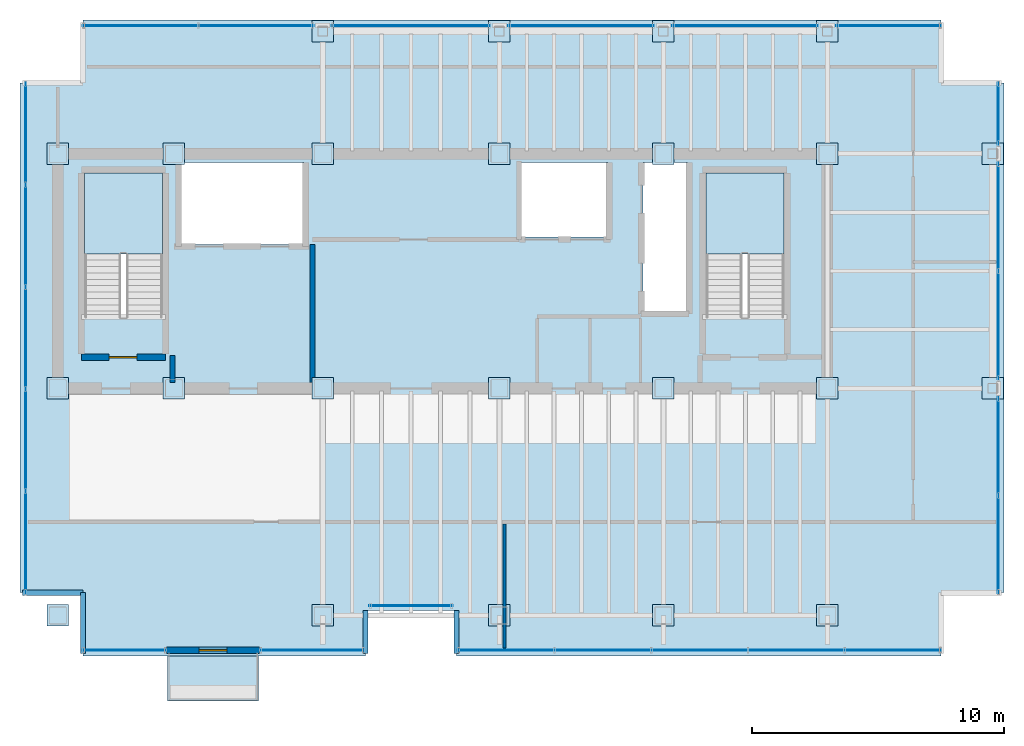
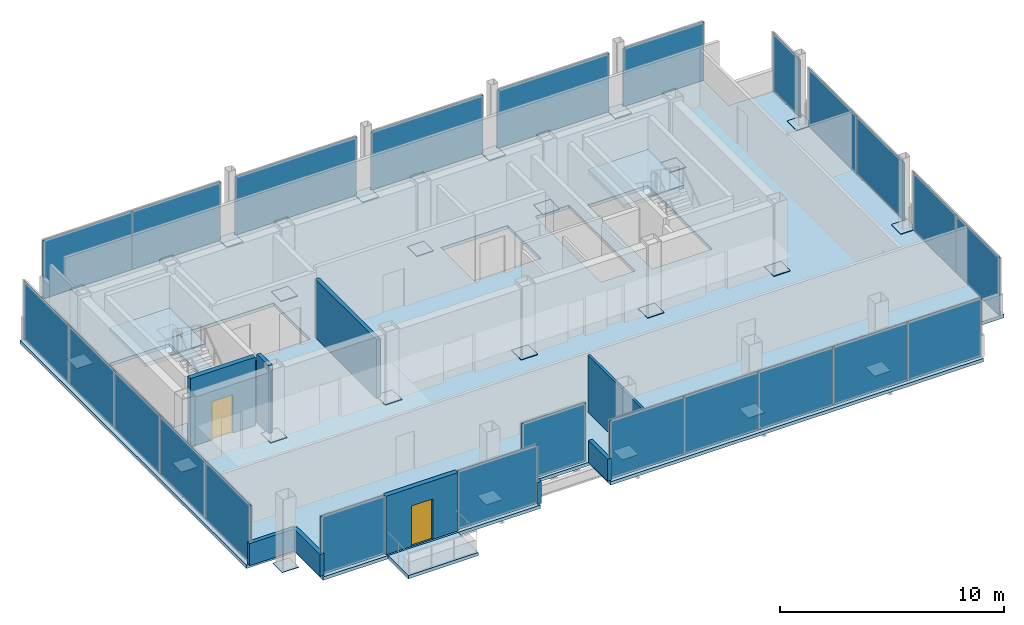
# One storey, part 14 of 17: 47 plates, 9 walls, 4 slabs, 2 doors, 7 openings, 15 elements without a shape of their own.
"""IFC4 building model written with IfcOpenShell, lengths in metres."""

import ifcopenshell
import ifcopenshell.guid

model = None  # the IFC model being written
_history = None  # IfcOwnerHistory: only IFC2X3 demands one
_inside = {}  # id of a spatial element -> (the spatial element, [elements in it])
_under = {}  # id of a project, library or spatial element -> (it, [spatial elements below it])
_declared = {}  # id of a project -> (the project, [libraries it declares])
_typed = {}  # id of a type object -> (the type object, [elements of that type])
_made_of = {}  # id of a material, layer set ... -> (it, [elements and type objects made of it])


def new_model(schema):
    """Start an empty IFC model of exactly this schema.

    Asked for "IFC4X3", IfcOpenShell would pick the latest addendum, in which some entities
    have other attributes; the version numbers below select the first issue.
    IFC2X3 requires an IfcOwnerHistory on every rooted entity: one is made here for all.
    """
    global model, _history
    if schema == "IFC4X3":
        model = ifcopenshell.file(schema_version=(4, 3, 0, 0))
    else:
        model = ifcopenshell.file(schema=schema)
    _inside.clear()
    _under.clear()
    _declared.clear()
    _typed.clear()
    _made_of.clear()
    _history = None
    if model.schema == "IFC2X3":
        org = make("IfcOrganization", Name="unknown")
        user = make(
            "IfcPersonAndOrganization",
            ThePerson=make("IfcPerson", FamilyName="unknown"),
            TheOrganization=org,
        )
        app = make(
            "IfcApplication",
            ApplicationDeveloper=org,
            Version="unknown",
            ApplicationFullName="unknown",
            ApplicationIdentifier="unknown",
        )
        _history = make(
            "IfcOwnerHistory",
            OwningUser=user,
            OwningApplication=app,
            ChangeAction="ADDED",
            CreationDate=0,
        )
    return model


def make(cls, **values):
    """One entity of the class cls with the attributes given. An attribute that is None is left unset."""
    return model.create_entity(
        cls, **{name: value for name, value in values.items() if value is not None}
    )


def rooted(cls, **values):
    """An entity with a GlobalId (a new one), such as an element, a storey or a relation."""
    return make(cls, GlobalId=ifcopenshell.guid.new(), OwnerHistory=_history, **values)


def si_unit(unit_type, name, prefix=None):
    """IfcSIUnit, for example si_unit("LENGTHUNIT", "METRE", prefix="MILLI")."""
    return make("IfcSIUnit", UnitType=unit_type, Prefix=prefix, Name=name)


def assignment(units):
    """IfcUnitAssignment: the units of a project."""
    return None if units is None else make("IfcUnitAssignment", Units=units)


def point(xyz):
    """IfcCartesianPoint."""
    return None if xyz is None else make("IfcCartesianPoint", Coordinates=xyz)


def direction(xyz):
    """IfcDirection."""
    return None if xyz is None else make("IfcDirection", DirectionRatios=xyz)


def frame(location, z_axis=None, x_axis=None):
    """IfcAxis2Placement3D, a coordinate frame: its origin and axes. An axis left out is left unset."""
    return make(
        "IfcAxis2Placement3D",
        Location=point(location),
        Axis=direction(z_axis),
        RefDirection=direction(x_axis),
    )


def frame_2d(location, x_axis=None):
    """IfcAxis2Placement2D, a coordinate frame in the plane: its origin and x axis."""
    return make(
        "IfcAxis2Placement2D", Location=point(location), RefDirection=direction(x_axis)
    )


def origin():
    """The frame at (0, 0, 0) with its axes left unset."""
    return frame((0.0, 0.0, 0.0))


def origin_2d():
    """The frame at (0, 0) in the plane with its x axis left unset."""
    return frame_2d((0.0, 0.0))


def place(relative_to, where):
    """IfcLocalPlacement: puts the frame where relative to a parent placement (None: the world)."""
    return make(
        "IfcLocalPlacement", PlacementRelTo=relative_to, RelativePlacement=where
    )


def context(
    kind, dimensions, precision=None, world=None, true_north=None, identifier=None
):
    """IfcGeometricRepresentationContext, for example the 3D "Model" context."""
    return make(
        "IfcGeometricRepresentationContext",
        ContextIdentifier=identifier,
        ContextType=kind,
        CoordinateSpaceDimension=dimensions,
        Precision=precision,
        WorldCoordinateSystem=world,
        TrueNorth=true_north,
    )


def subcontext(parent, identifier, kind, view, scale=None):
    """IfcGeometricRepresentationSubContext, for example "Body" below "Model"."""
    return make(
        "IfcGeometricRepresentationSubContext",
        ContextIdentifier=identifier,
        ContextType=kind,
        ParentContext=parent,
        TargetScale=scale,
        TargetView=view,
    )


def project(units=None, contexts=None):
    """IfcProject with its units and contexts."""
    return rooted(
        "IfcProject",
        Name="project",
        RepresentationContexts=contexts,
        UnitsInContext=assignment(units),
    )


def spatial(cls, under=None, at=None, **own):
    """A site, building, storey or space (cls), placed at a placement, below another one or the project."""
    s = rooted(cls, ObjectPlacement=at, **own)
    if under is not None:
        _under.setdefault(under.id(), (under, []))[1].append(s)
    return s


def polyline(points):
    """IfcPolyline through the points."""
    return make("IfcPolyline", Points=[point(p) for p in points])


def profile(cls, at=None, kind="AREA", **sizes):
    """A parametric profile (cls). Its sizes go by their IFC names, for example OverallWidth=200.0."""
    return make(cls, ProfileType=kind, Position=at, **sizes)


def rectangle(**sizes):
    """IfcRectangleProfileDef."""
    return profile("IfcRectangleProfileDef", **sizes)


def outline(outer, holes=None, kind="AREA"):
    """IfcArbitraryClosedProfileDef: a profile drawn as a closed curve; with holes, ...WithVoids."""
    if holes is None:
        return make("IfcArbitraryClosedProfileDef", ProfileType=kind, OuterCurve=outer)
    return make(
        "IfcArbitraryProfileDefWithVoids",
        ProfileType=kind,
        OuterCurve=outer,
        InnerCurves=holes,
    )


def extrude(swept, where, along, depth):
    """IfcExtrudedAreaSolid: the profile swept, set in the frame where, extruded along a direction by depth."""
    return make(
        "IfcExtrudedAreaSolid",
        SweptArea=swept,
        Position=where,
        ExtrudedDirection=direction(along),
        Depth=depth,
    )


def shape(context_of_items, identifier, shape_type, items):
    """IfcShapeRepresentation: the items that make up one representation, for example the "Body"."""
    return make(
        "IfcShapeRepresentation",
        ContextOfItems=context_of_items,
        RepresentationIdentifier=identifier,
        RepresentationType=shape_type,
        Items=items,
    )


def material(Name=None, Category=None):
    """IfcMaterial."""
    return make("IfcMaterial", Name=Name, Category=Category)


def layer(
    of_material, thickness, ventilated=None, Name=None, Category=None, Priority=None
):
    """IfcMaterialLayer: one layer of a wall or slab, of a material (None: an air gap)."""
    return make(
        "IfcMaterialLayer",
        Material=of_material,
        LayerThickness=thickness,
        IsVentilated=ventilated,
        Name=Name,
        Category=Category,
        Priority=Priority,
    )


def layer_set(layers, Name=None):
    """IfcMaterialLayerSet."""
    return make("IfcMaterialLayerSet", MaterialLayers=layers, LayerSetName=Name)


def made_of(thing, what):
    """Note that an element or type object is made of a material, layer set ...; save() writes the relation."""
    if what is not None:
        _made_of.setdefault(what.id(), (what, []))[1].append(thing)
    return thing


def type_object(cls, material=None, **own):
    """A type object (cls), such as IfcWallType, which elements share."""
    return made_of(rooted(cls, **own), material)


def element(
    cls,
    number,
    at=None,
    inside=None,
    cuts=None,
    type_object=None,
    material=None,
    context=None,
    identifier="Body",
    shape_type=None,
    held_by="IfcProductDefinitionShape",
    body=None,
    shapes=None,
    **own,
):
    """One element of the class cls, such as IfcWall. Its Tag is "e" and its number.

    at: its placement. inside: the storey or other place that contains it. cuts: it is an
    opening in that element (IfcRelVoidsElement). A single representation is given by context,
    identifier, shape_type and body (its items); several are given by shapes. held_by: the class
    of the entity that holds the representations. save() writes the other relations.
    """
    e = rooted(cls, Tag="e%d" % number, ObjectPlacement=at, **own)
    if body is not None:
        shapes = [shape(context, identifier, shape_type, body)]
    if shapes is not None:
        e.Representation = make(held_by, Representations=shapes)
    if inside is not None:
        _inside.setdefault(inside.id(), (inside, []))[1].append(e)
    if cuts is not None:
        rooted(
            "IfcRelVoidsElement", RelatingBuildingElement=cuts, RelatedOpeningElement=e
        )
    if type_object is not None:
        _typed.setdefault(type_object.id(), (type_object, []))[1].append(e)
    return made_of(e, material)


def fill(opening, filler):
    """IfcRelFillsElement: the door or window that sits in an opening."""
    return rooted(
        "IfcRelFillsElement",
        RelatingOpeningElement=opening,
        RelatedBuildingElement=filler,
    )


def aggregate(whole, parts):
    """IfcRelAggregates: a whole, such as a stair, and the parts it consists of."""
    return rooted("IfcRelAggregates", RelatingObject=whole, RelatedObjects=parts)


def save(model, path):
    """Write the relations noted so far, then the file.

    IfcRelAggregates (storeys below a building ...), IfcRelContainedInSpatialStructure (elements
    in a storey), IfcRelDefinesByType, IfcRelAssociatesMaterial and IfcRelDeclares: one each for
    every whole, place, type object, material and project.
    """
    for whole, parts in _under.values():
        aggregate(whole, parts)
    for where, things in _inside.values():
        rooted(
            "IfcRelContainedInSpatialStructure",
            RelatedElements=things,
            RelatingStructure=where,
        )
    for kind, things in _typed.values():
        rooted("IfcRelDefinesByType", RelatedObjects=things, RelatingType=kind)
    for what, things in _made_of.values():
        rooted("IfcRelAssociatesMaterial", RelatedObjects=things, RelatingMaterial=what)
    for by, libraries in _declared.values():
        rooted("IfcRelDeclares", RelatingContext=by, RelatedDefinitions=libraries)
    model.write(path)


model = new_model("IFC4")

# Units and contexts
model_context = context("Model", 3, precision=1e-05, world=origin(), true_north=direction((0.0, 1.0)))
body_context = subcontext(model_context, "Body", "Model", "MODEL_VIEW")
ifc_project = project(units=[si_unit("LENGTHUNIT", "METRE"), si_unit("AREAUNIT", "SQUARE_METRE"), si_unit("VOLUMEUNIT", "CUBIC_METRE"), si_unit("PLANEANGLEUNIT", "RADIAN"), si_unit("MASSUNIT", "GRAM", prefix="KILO")], contexts=[model_context])

# Site, building, storey
site_placement = place(None, origin())
site = spatial("IfcSite", under=ifc_project, at=site_placement, CompositionType="ELEMENT")
building_placement = place(site_placement, origin())
building = spatial("IfcBuilding", under=site, at=building_placement, Name="Noeulbin Bourse Tower", CompositionType="ELEMENT")
storey_placement = place(building_placement, frame((0.0, 0.0, 285.199951171875)))
storey = spatial("IfcBuildingStorey", under=building, at=storey_placement, Name="L71", CompositionType="ELEMENT", Elevation=285.199951171875)

# Curtain wall, plate
ifc_material_1 = material(Name="High-Selectivity Low-Iron Glazing", Category="glass")
curtain_wall_type = type_object("IfcCurtainWallType", Name="CW-SYS-4", PredefinedType="NOTDEFINED", material=ifc_material_1)
curtain_wall_1_placement = place(storey_placement, origin())
curtain_wall_1 = element("IfcCurtainWall", 1, at=curtain_wall_1_placement, inside=storey, type_object=curtain_wall_type, Name="Unitised Curtain Wall CW-L71-SREC", PredefinedType="NOTDEFINED")
ifc_layer_1 = layer(ifc_material_1, 0.035888671875)
ifc_layer_set_1 = layer_set([ifc_layer_1], Name="High-Selectivity Low-Iron Glazing")
plate_type_1 = type_object("IfcPlateType", Name="CW-SYS-4-PNL", PredefinedType="CURTAIN_PANEL", material=ifc_layer_set_1)
plate_1_placement = place(storey_placement, frame((27.5, 20.3798828125, 0.0), z_axis=(0.0, 0.0, 1.0), x_axis=(1.0, 0.0, 0.0)))
plate_1 = element("IfcPlate", 2, at=plate_1_placement, type_object=plate_type_1, Name="Glazed Curtain Panel CW-L71-SREC-P00", PredefinedType="CURTAIN_PANEL", context=body_context, shape_type="SweptSolid", body=[
    extrude(rectangle(XDim=3.300048828125, YDim=0.035888671875, at=origin_2d()), origin(), (0.0, 0.0, 1.0), 3.179931640625),
])
aggregate(curtain_wall_1, [plate_1])

curtain_wall_2_placement = place(storey_placement, origin())
curtain_wall_2 = element("IfcCurtainWall", 3, at=curtain_wall_2_placement, inside=storey, type_object=curtain_wall_type, Name="Unitised Curtain Wall CW-L71-S1", PredefinedType="NOTDEFINED")
plate_2_placement = place(storey_placement, frame((16.139892578125, 18.6201171875, 0.0), z_axis=(0.0, 0.0, 1.0), x_axis=(1.0, 0.0, 0.0)))
plate_2 = element("IfcPlate", 4, at=plate_2_placement, type_object=plate_type_1, Name="Glazed Curtain Panel CW-L71-S1-P00", PredefinedType="CURTAIN_PANEL", context=body_context, shape_type="SweptSolid", body=[
    extrude(rectangle(XDim=3.320068359375, YDim=0.035888671875, at=origin_2d()), origin(), (0.0, 0.0, 1.0), 3.179931640625),
])
aggregate(curtain_wall_2, [plate_2])

curtain_wall_3_placement = place(storey_placement, origin())
curtain_wall_3 = element("IfcCurtainWall", 5, at=curtain_wall_3_placement, inside=storey, type_object=curtain_wall_type, Name="Unitised Curtain Wall CW-L71-S2", PredefinedType="NOTDEFINED")
plate_3_placement = place(storey_placement, frame((23.574951171875, 18.6201171875, 0.0), z_axis=(0.0, 0.0, 1.0), x_axis=(1.0, 0.0, 0.0)))
plate_3 = element("IfcPlate", 6, at=plate_3_placement, type_object=plate_type_1, Name="Glazed Curtain Panel CW-L71-S2-P00", PredefinedType="CURTAIN_PANEL", context=body_context, shape_type="SweptSolid", body=[
    extrude(rectangle(XDim=4.14990234375, YDim=0.035888671875, at=origin_2d()), origin(), (0.0, 0.0, 1.0), 3.179931640625),
])
aggregate(curtain_wall_3, [plate_3])

# Curtain wall, plates
curtain_wall_4_placement = place(storey_placement, origin())
curtain_wall_4 = element("IfcCurtainWall", 7, at=curtain_wall_4_placement, inside=storey, type_object=curtain_wall_type, Name="Unitised Curtain Wall CW-L71-S3", PredefinedType="NOTDEFINED")
plate_4_placement = place(storey_placement, frame((31.26708984375, 18.6201171875, 0.0), z_axis=(0.0, 0.0, 1.0), x_axis=(1.0, 0.0, 0.0)))
plate_4 = element("IfcPlate", 8, at=plate_4_placement, type_object=plate_type_1, Name="Glazed Curtain Panel CW-L71-S3-P00", PredefinedType="CURTAIN_PANEL", context=body_context, shape_type="SweptSolid", body=[
    extrude(rectangle(XDim=3.833984375, YDim=0.035888671875, at=origin_2d()), origin(), (0.0, 0.0, 1.0), 3.179931640625),
])
plate_5_placement = place(storey_placement, frame((35.10107421875, 18.6201171875, 0.0), z_axis=(0.0, 0.0, 1.0), x_axis=(1.0, 0.0, 0.0)))
plate_5 = element("IfcPlate", 9, at=plate_5_placement, type_object=plate_type_1, Name="Glazed Curtain Panel CW-L71-S3-P01", PredefinedType="CURTAIN_PANEL", context=body_context, shape_type="SweptSolid", body=[
    extrude(rectangle(XDim=3.833984375, YDim=0.035888671875, at=origin_2d()), origin(), (0.0, 0.0, 1.0), 3.179931640625),
])
plate_6_placement = place(storey_placement, frame((38.93505859375, 18.6201171875, 0.0), z_axis=(0.0, 0.0, 1.0), x_axis=(1.0, 0.0, 0.0)))
plate_6 = element("IfcPlate", 10, at=plate_6_placement, type_object=plate_type_1, Name="Glazed Curtain Panel CW-L71-S3-P02", PredefinedType="CURTAIN_PANEL", context=body_context, shape_type="SweptSolid", body=[
    extrude(rectangle(XDim=3.833984375, YDim=0.035888671875, at=origin_2d()), origin(), (0.0, 0.0, 1.0), 3.179931640625),
])
plate_7_placement = place(storey_placement, frame((42.76904296875, 18.6201171875, 0.0), z_axis=(0.0, 0.0, 1.0), x_axis=(1.0, 0.0, 0.0)))
plate_7 = element("IfcPlate", 11, at=plate_7_placement, type_object=plate_type_1, Name="Glazed Curtain Panel CW-L71-S3-P03", PredefinedType="CURTAIN_PANEL", context=body_context, shape_type="SweptSolid", body=[
    extrude(rectangle(XDim=3.833984375, YDim=0.035888671875, at=origin_2d()), origin(), (0.0, 0.0, 1.0), 3.179931640625),
])
plate_8_placement = place(storey_placement, frame((46.60302734375, 18.6201171875, 0.0), z_axis=(0.0, 0.0, 1.0), x_axis=(1.0, 0.0, 0.0)))
plate_8 = element("IfcPlate", 12, at=plate_8_placement, type_object=plate_type_1, Name="Glazed Curtain Panel CW-L71-S3-P04", PredefinedType="CURTAIN_PANEL", context=body_context, shape_type="SweptSolid", body=[
    extrude(rectangle(XDim=3.833984375, YDim=0.035888671875, at=origin_2d()), origin(), (0.0, 0.0, 1.0), 3.179931640625),
])
aggregate(curtain_wall_4, [plate_4, plate_5, plate_6, plate_7, plate_8])

curtain_wall_5_placement = place(storey_placement, origin())
curtain_wall_5 = element("IfcCurtainWall", 13, at=curtain_wall_5_placement, inside=storey, type_object=curtain_wall_type, Name="Unitised Curtain Wall CW-L71-N-S1", PredefinedType="NOTDEFINED")
plate_9_placement = place(storey_placement, frame((16.77001953125, 43.3798828125, 0.0), z_axis=(0.0, 0.0, 1.0), x_axis=(1.0, 0.0, 0.0)))
plate_9 = element("IfcPlate", 14, at=plate_9_placement, type_object=plate_type_1, Name="Glazed Curtain Panel CW-L71-N-S1-P00", PredefinedType="CURTAIN_PANEL", context=body_context, shape_type="SweptSolid", body=[
    extrude(rectangle(XDim=4.580078125, YDim=0.035888671875, at=origin_2d()), origin(), (0.0, 0.0, 1.0), 3.179931640625),
])
plate_10_placement = place(storey_placement, frame((21.35009765625, 43.3798828125, 0.0), z_axis=(0.0, 0.0, 1.0), x_axis=(1.0, 0.0, 0.0)))
plate_10 = element("IfcPlate", 15, at=plate_10_placement, type_object=plate_type_1, Name="Glazed Curtain Panel CW-L71-N-S1-P01", PredefinedType="CURTAIN_PANEL", context=body_context, shape_type="SweptSolid", body=[
    extrude(rectangle(XDim=4.580078125, YDim=0.035888671875, at=origin_2d()), origin(), (0.0, 0.0, 1.0), 3.179931640625),
])
aggregate(curtain_wall_5, [plate_9, plate_10])

# Curtain wall, plate
curtain_wall_6_placement = place(storey_placement, origin())
curtain_wall_6 = element("IfcCurtainWall", 16, at=curtain_wall_6_placement, inside=storey, type_object=curtain_wall_type, Name="Unitised Curtain Wall CW-L71-N-S2", PredefinedType="NOTDEFINED")
plate_11_placement = place(storey_placement, frame((27.5, 43.3798828125, 0.0), z_axis=(0.0, 0.0, 1.0), x_axis=(1.0, 0.0, 0.0)))
plate_11 = element("IfcPlate", 17, at=plate_11_placement, type_object=plate_type_1, Name="Glazed Curtain Panel CW-L71-N-S2-P00", PredefinedType="CURTAIN_PANEL", context=body_context, shape_type="SweptSolid", body=[
    extrude(rectangle(XDim=6.280029296875, YDim=0.035888671875, at=origin_2d()), origin(), (0.0, 0.0, 1.0), 3.179931640625),
])
aggregate(curtain_wall_6, [plate_11])

curtain_wall_7_placement = place(storey_placement, origin())
curtain_wall_7 = element("IfcCurtainWall", 18, at=curtain_wall_7_placement, inside=storey, type_object=curtain_wall_type, Name="Unitised Curtain Wall CW-L71-N-S3", PredefinedType="NOTDEFINED")
plate_12_placement = place(storey_placement, frame((34.25, 43.3798828125, 0.0), z_axis=(0.0, 0.0, 1.0), x_axis=(1.0, 0.0, 0.0)))
plate_12 = element("IfcPlate", 19, at=plate_12_placement, type_object=plate_type_1, Name="Glazed Curtain Panel CW-L71-N-S3-P00", PredefinedType="CURTAIN_PANEL", context=body_context, shape_type="SweptSolid", body=[
    extrude(rectangle(XDim=5.780029296875, YDim=0.035888671875, at=origin_2d()), origin(), (0.0, 0.0, 1.0), 3.179931640625),
])
aggregate(curtain_wall_7, [plate_12])

curtain_wall_8_placement = place(storey_placement, origin())
curtain_wall_8 = element("IfcCurtainWall", 20, at=curtain_wall_8_placement, inside=storey, type_object=curtain_wall_type, Name="Unitised Curtain Wall CW-L71-N-S4", PredefinedType="NOTDEFINED")
plate_13_placement = place(storey_placement, frame((40.75, 43.3798828125, 0.0), z_axis=(0.0, 0.0, 1.0), x_axis=(1.0, 0.0, 0.0)))
plate_13 = element("IfcPlate", 21, at=plate_13_placement, type_object=plate_type_1, Name="Glazed Curtain Panel CW-L71-N-S4-P00", PredefinedType="CURTAIN_PANEL", context=body_context, shape_type="SweptSolid", body=[
    extrude(rectangle(XDim=5.780029296875, YDim=0.035888671875, at=origin_2d()), origin(), (0.0, 0.0, 1.0), 3.179931640625),
])
aggregate(curtain_wall_8, [plate_13])

curtain_wall_9_placement = place(storey_placement, origin())
curtain_wall_9 = element("IfcCurtainWall", 22, at=curtain_wall_9_placement, inside=storey, type_object=curtain_wall_type, Name="Unitised Curtain Wall CW-L71-N-S5", PredefinedType="NOTDEFINED")
plate_14_placement = place(storey_placement, frame((46.43994140625, 43.3798828125, 0.0), z_axis=(0.0, 0.0, 1.0), x_axis=(1.0, 0.0, 0.0)))
plate_14 = element("IfcPlate", 23, at=plate_14_placement, type_object=plate_type_1, Name="Glazed Curtain Panel CW-L71-N-S5-P00", PredefinedType="CURTAIN_PANEL", context=body_context, shape_type="SweptSolid", body=[
    extrude(rectangle(XDim=4.159912109375, YDim=0.035888671875, at=origin_2d()), origin(), (0.0, 0.0, 1.0), 3.179931640625),
])
aggregate(curtain_wall_9, [plate_14])

# Curtain wall, plates
curtain_wall_10_placement = place(storey_placement, origin())
curtain_wall_10 = element("IfcCurtainWall", 24, at=curtain_wall_10_placement, inside=storey, type_object=curtain_wall_type, Name="Unitised Curtain Wall CW-L71-W", PredefinedType="NOTDEFINED")
plate_15_placement = place(storey_placement, frame((12.219970703125, 22.904052734375, 0.0), z_axis=(0.0, 0.0, 1.0), x_axis=(0.0, 1.0, 0.0)))
plate_15 = element("IfcPlate", 25, at=plate_15_placement, type_object=plate_type_1, Name="Glazed Curtain Panel CW-L71-W-P00", PredefinedType="CURTAIN_PANEL", context=body_context, shape_type="SweptSolid", body=[
    extrude(rectangle(XDim=4.048095703125, YDim=0.035888671875, at=origin_2d()), origin(), (0.0, 0.0, 1.0), 3.179931640625),
])
plate_16_placement = place(storey_placement, frame((12.219970703125, 26.951904296875, 0.0), z_axis=(0.0, 0.0, 1.0), x_axis=(0.0, 1.0, 0.0)))
plate_16 = element("IfcPlate", 26, at=plate_16_placement, type_object=plate_type_1, Name="Glazed Curtain Panel CW-L71-W-P01", PredefinedType="CURTAIN_PANEL", context=body_context, shape_type="SweptSolid", body=[
    extrude(rectangle(XDim=4.048095703125, YDim=0.035888671875, at=origin_2d()), origin(), (0.0, 0.0, 1.0), 3.179931640625),
])
plate_17_placement = place(storey_placement, frame((12.219970703125, 31.0, 0.0), z_axis=(0.0, 0.0, 1.0), x_axis=(0.0, 1.0, 0.0)))
plate_17 = element("IfcPlate", 27, at=plate_17_placement, type_object=plate_type_1, Name="Glazed Curtain Panel CW-L71-W-P02", PredefinedType="CURTAIN_PANEL", context=body_context, shape_type="SweptSolid", body=[
    extrude(rectangle(XDim=4.048095703125, YDim=0.035888671875, at=origin_2d()), origin(), (0.0, 0.0, 1.0), 3.179931640625),
])
plate_18_placement = place(storey_placement, frame((12.219970703125, 35.048095703125, 0.0), z_axis=(0.0, 0.0, 1.0), x_axis=(0.0, 1.0, 0.0)))
plate_18 = element("IfcPlate", 28, at=plate_18_placement, type_object=plate_type_1, Name="Glazed Curtain Panel CW-L71-W-P03", PredefinedType="CURTAIN_PANEL", context=body_context, shape_type="SweptSolid", body=[
    extrude(rectangle(XDim=4.048095703125, YDim=0.035888671875, at=origin_2d()), origin(), (0.0, 0.0, 1.0), 3.179931640625),
])
plate_19_placement = place(storey_placement, frame((12.219970703125, 39.095947265625, 0.0), z_axis=(0.0, 0.0, 1.0), x_axis=(0.0, 1.0, 0.0)))
plate_19 = element("IfcPlate", 29, at=plate_19_placement, type_object=plate_type_1, Name="Glazed Curtain Panel CW-L71-W-P04", PredefinedType="CURTAIN_PANEL", context=body_context, shape_type="SweptSolid", body=[
    extrude(rectangle(XDim=4.048095703125, YDim=0.035888671875, at=origin_2d()), origin(), (0.0, 0.0, 1.0), 3.179931640625),
])
aggregate(curtain_wall_10, [plate_15, plate_16, plate_17, plate_18, plate_19])

curtain_wall_11_placement = place(storey_placement, origin())
curtain_wall_11 = element("IfcCurtainWall", 30, at=curtain_wall_11_placement, inside=storey, type_object=curtain_wall_type, Name="Unitised Curtain Wall CW-L71-E-S1", PredefinedType="NOTDEFINED")
plate_20_placement = place(storey_placement, frame((50.780029296875, 22.820068359375, 0.0), z_axis=(0.0, 0.0, 1.0), x_axis=(0.0, 1.0, 0.0)))
plate_20 = element("IfcPlate", 31, at=plate_20_placement, type_object=plate_type_1, Name="Glazed Curtain Panel CW-L71-E-S1-P00", PredefinedType="CURTAIN_PANEL", context=body_context, shape_type="SweptSolid", body=[
    extrude(rectangle(XDim=3.8798828125, YDim=0.035888671875, at=origin_2d()), origin(), (0.0, 0.0, 1.0), 3.179931640625),
])
plate_21_placement = place(storey_placement, frame((50.780029296875, 26.699951171875, 0.0), z_axis=(0.0, 0.0, 1.0), x_axis=(0.0, 1.0, 0.0)))
plate_21 = element("IfcPlate", 32, at=plate_21_placement, type_object=plate_type_1, Name="Glazed Curtain Panel CW-L71-E-S1-P01", PredefinedType="CURTAIN_PANEL", context=body_context, shape_type="SweptSolid", body=[
    extrude(rectangle(XDim=3.8798828125, YDim=0.035888671875, at=origin_2d()), origin(), (0.0, 0.0, 1.0), 3.179931640625),
])
aggregate(curtain_wall_11, [plate_20, plate_21])

curtain_wall_12_placement = place(storey_placement, origin())
curtain_wall_12 = element("IfcCurtainWall", 33, at=curtain_wall_12_placement, inside=storey, type_object=curtain_wall_type, Name="Unitised Curtain Wall CW-L71-E-S2", PredefinedType="NOTDEFINED")
plate_22_placement = place(storey_placement, frame((50.780029296875, 31.5048828125, 0.0), z_axis=(0.0, 0.0, 1.0), x_axis=(0.0, 1.0, 0.0)))
plate_22 = element("IfcPlate", 34, at=plate_22_placement, type_object=plate_type_1, Name="Glazed Curtain Panel CW-L71-E-S2-P00", PredefinedType="CURTAIN_PANEL", context=body_context, shape_type="SweptSolid", body=[
    extrude(rectangle(XDim=4.2900390625, YDim=0.035888671875, at=origin_2d()), origin(), (0.0, 0.0, 1.0), 3.179931640625),
])
plate_23_placement = place(storey_placement, frame((50.780029296875, 35.794921875, 0.0), z_axis=(0.0, 0.0, 1.0), x_axis=(0.0, 1.0, 0.0)))
plate_23 = element("IfcPlate", 35, at=plate_23_placement, type_object=plate_type_1, Name="Glazed Curtain Panel CW-L71-E-S2-P01", PredefinedType="CURTAIN_PANEL", context=body_context, shape_type="SweptSolid", body=[
    extrude(rectangle(XDim=4.2900390625, YDim=0.035888671875, at=origin_2d()), origin(), (0.0, 0.0, 1.0), 3.179931640625),
])
aggregate(curtain_wall_12, [plate_22, plate_23])

# Curtain wall, plate
curtain_wall_13_placement = place(storey_placement, origin())
curtain_wall_13 = element("IfcCurtainWall", 36, at=curtain_wall_13_placement, inside=storey, type_object=curtain_wall_type, Name="Unitised Curtain Wall CW-L71-E-S3", PredefinedType="NOTDEFINED")
plate_24_placement = place(storey_placement, frame((50.780029296875, 39.889892578125, 0.0), z_axis=(0.0, 0.0, 1.0), x_axis=(0.0, 1.0, 0.0)))
plate_24 = element("IfcPlate", 37, at=plate_24_placement, type_object=plate_type_1, Name="Glazed Curtain Panel CW-L71-E-S3-P00", PredefinedType="CURTAIN_PANEL", context=body_context, shape_type="SweptSolid", body=[
    extrude(rectangle(XDim=2.4599609375, YDim=0.035888671875, at=origin_2d()), origin(), (0.0, 0.0, 1.0), 3.179931640625),
])
aggregate(curtain_wall_13, [plate_24])

# Plates
ifc_material_2 = material(Name="Steel S355", Category="steel")
ifc_layer_2 = layer(ifc_material_2, 0.030029296875)
ifc_layer_set_2 = layer_set([ifc_layer_2], Name="Steel S355")
plate_type_2 = type_object("IfcPlateType", Name="PLT-BN1", PredefinedType="USERDEFINED", material=ifc_layer_set_2)
for number, where, z_axis, x_axis, name in (
    (38, (13.5, 29.0, 0.0048828125), (0.0, 0.0, 1.0), (1.0, 0.0, 0.0), "Mega-Column Splice Plate BN1-L71-01"),
    (39, (13.5, 38.300048828125, 0.0048828125), (0.0, 0.0, 1.0), (1.0, 0.0, 0.0), "Mega-Column Splice Plate BN1-L71-02"),
    (40, (18.10009765625, 29.0, 0.0048828125), (0.0, 0.0, 1.0), (1.0, 0.0, 0.0), "Mega-Column Splice Plate BN1-L71-03"),
    (41, (18.10009765625, 38.300048828125, 0.0048828125), (0.0, 0.0, 1.0), (1.0, 0.0, 0.0), "Mega-Column Splice Plate BN1-L71-04"),
    (42, (24.0, 29.0, 0.0048828125), (0.0, 0.0, 1.0), (1.0, 0.0, 0.0), "Mega-Column Splice Plate BN1-L71-05"),
    (43, (24.0, 38.300048828125, 0.0048828125), (0.0, 0.0, 1.0), (1.0, 0.0, 0.0), "Mega-Column Splice Plate BN1-L71-06"),
    (44, (31.0, 29.0, 0.0048828125), (0.0, 0.0, 1.0), (1.0, 0.0, 0.0), "Mega-Column Splice Plate BN1-L71-07"),
    (45, (31.0, 38.300048828125, 0.0048828125), (0.0, 0.0, 1.0), (1.0, 0.0, 0.0), "Mega-Column Splice Plate BN1-L71-08"),
    (46, (37.5, 29.0, 0.0048828125), (0.0, 0.0, 1.0), (1.0, 0.0, 0.0), "Mega-Column Splice Plate BN1-L71-09"),
    (47, (37.5, 38.300048828125, 0.0048828125), (0.0, 0.0, 1.0), (1.0, 0.0, 0.0), "Mega-Column Splice Plate BN1-L71-10"),
    (48, (44.0, 29.0, 0.0048828125), (0.0, 0.0, 1.0), (1.0, 0.0, 0.0), "Mega-Column Splice Plate BN1-L71-11"),
    (49, (44.0, 38.300048828125, 0.0048828125), (0.0, 0.0, 1.0), (1.0, 0.0, 0.0), "Mega-Column Splice Plate BN1-L71-12"),
    (50, (13.5, 20.0, 0.0048828125), (0.0, 0.0, 1.0), (1.0, 0.0, 0.0), "Mega-Column Splice Plate BN1-L71-13"),
    (51, (24.0, 20.0, 0.0048828125), (0.0, 0.0, 1.0), (1.0, 0.0, 0.0), "Mega-Column Splice Plate BN1-L71-14"),
    (52, (31.0, 20.0, 0.0048828125), (0.0, 0.0, 1.0), (1.0, 0.0, 0.0), "Mega-Column Splice Plate BN1-L71-15"),
    (53, (37.5, 20.0, 0.0048828125), (0.0, 0.0, 1.0), (1.0, 0.0, 0.0), "Mega-Column Splice Plate BN1-L71-16"),
    (54, (44.0, 20.0, 0.0048828125), (0.0, 0.0, 1.0), (1.0, 0.0, 0.0), "Mega-Column Splice Plate BN1-L71-17"),
    (55, (24.0, 43.14990234375, 0.0048828125), (0.0, 0.0, 1.0), (1.0, 0.0, 0.0), "Perimeter Column Splice Plate BN1-L71-01"),
    (56, (31.0, 43.14990234375, 0.0048828125), (0.0, 0.0, 1.0), (1.0, 0.0, 0.0), "Perimeter Column Splice Plate BN1-L71-02"),
    (57, (37.5, 43.14990234375, 0.0048828125), (0.0, 0.0, 1.0), (1.0, 0.0, 0.0), "Perimeter Column Splice Plate BN1-L71-03"),
    (58, (44.0, 43.14990234375, 0.0048828125), (0.0, 0.0, 1.0), (1.0, 0.0, 0.0), "Perimeter Column Splice Plate BN1-L71-04"),
    (59, (50.550048828125, 29.0, 0.0048828125), (0.0, 0.0, 1.0), (1.0, 0.0, 0.0), "Perimeter Column Splice Plate BN1-L71-05"),
    (60, (50.550048828125, 38.300048828125, 0.0048828125), (0.0, 0.0, 1.0), (1.0, 0.0, 0.0), "Perimeter Column Splice Plate BN1-L71-06"),
):
    element("IfcPlate", number, at=place(storey_placement, frame(where, z_axis=z_axis, x_axis=x_axis)), inside=storey, type_object=plate_type_2, Name=name, ObjectType="SPLICE PLATE", PredefinedType="USERDEFINED", context=body_context, shape_type="SweptSolid", body=[
        extrude(rectangle(XDim=0.85009765625, YDim=0.85009765625, at=origin_2d()), origin(), (0.0, 0.0, 1.0), 0.030029296875),
    ])

# Stair, slab
ifc_material_3 = material(Name="Concrete C40/50", Category="concrete")
stair_type = type_object("IfcStairType", Name="STR-CORE-1560", PredefinedType="HALF_TURN_STAIR", material=ifc_material_3)
stair_1_placement = place(storey_placement, origin())
stair_1 = element("IfcStair", 61, at=stair_1_placement, inside=storey, type_object=stair_type, Name="L71 ST-1", PredefinedType="HALF_TURN_STAIR")
ifc_layer_3 = layer(ifc_material_3, 0.199951171875)
ifc_layer_set_3 = layer_set([ifc_layer_3], Name="Concrete C40/50")
slab_type_1 = type_object("IfcSlabType", Name="SLB-LND-200", PredefinedType="LANDING", material=ifc_layer_set_3)
slab_1_placement = place(storey_placement, frame((0.0, 0.0, 1.75)))
slab_1 = element("IfcSlab", 62, at=slab_1_placement, type_object=slab_type_1, Name="ST-1 landing 1", PredefinedType="LANDING", context=body_context, shape_type="SweptSolid", body=[
    extrude(outline(polyline([(17.64990234375, 34.330078125), (17.64990234375, 37.5439453125), (14.550048828125, 37.5439453125), (14.550048828125, 34.330078125), (17.64990234375, 34.330078125)])), origin(), (0.0, 0.0, 1.0), 0.199951171875),
])
aggregate(stair_1, [slab_1])

stair_2_placement = place(storey_placement, origin())
stair_2 = element("IfcStair", 63, at=stair_2_placement, inside=storey, type_object=stair_type, Name="L71 ST-2", PredefinedType="HALF_TURN_STAIR")
slab_2_placement = place(storey_placement, frame((0.0, 0.0, 1.75)))
slab_2 = element("IfcSlab", 64, at=slab_2_placement, type_object=slab_type_1, Name="ST-2 landing 1", PredefinedType="LANDING", context=body_context, shape_type="SweptSolid", body=[
    extrude(outline(polyline([(42.280029296875, 34.330078125), (42.280029296875, 37.5439453125), (39.179931640625, 37.5439453125), (39.179931640625, 34.330078125), (42.280029296875, 34.330078125)])), origin(), (0.0, 0.0, 1.0), 0.199951171875),
])
aggregate(stair_2, [slab_2])

# Slab, openings
ifc_layer_4 = layer(ifc_material_3, 0.179931640625)
ifc_layer_set_4 = layer_set([ifc_layer_4], Name="Concrete C40/50")
slab_type_2 = type_object("IfcSlabType", Name="SLB-TYP-180", PredefinedType="FLOOR", material=ifc_layer_set_4)
slab_3_placement = place(storey_placement, frame((0.0, 0.0, -0.179931640625)))
slab_3 = element("IfcSlab", 65, at=slab_3_placement, inside=storey, type_object=slab_type_2, Name="Tower Structural Floor Slab L71", PredefinedType="FLOOR", context=body_context, shape_type="SweptSolid", body=[
    extrude(outline(polyline([(14.5, 18.39990234375), (25.699951171875, 18.39990234375), (25.699951171875, 20.199951171875), (29.300048828125, 20.199951171875), (29.300048828125, 18.39990234375), (48.5, 18.39990234375), (48.5, 20.89990234375), (51.0, 20.89990234375), (51.0, 41.10009765625), (48.5, 41.10009765625), (48.5, 43.60009765625), (14.5, 43.60009765625), (14.5, 41.10009765625), (12.0, 41.10009765625), (12.0, 20.89990234375), (14.5, 20.89990234375), (14.5, 18.39990234375)]), holes=[polyline([(17.64990234375, 31.81005859375), (17.64990234375, 37.5439453125), (14.550048828125, 37.5439453125), (14.550048828125, 31.81005859375), (17.64990234375, 31.81005859375)]), polyline([(42.280029296875, 31.81005859375), (42.280029296875, 37.5439453125), (39.179931640625, 37.5439453125), (39.179931640625, 31.81005859375), (42.280029296875, 31.81005859375)]), polyline([(18.35009765625, 34.699951171875), (23.25, 34.699951171875), (23.25, 37.949951171875), (18.35009765625, 37.949951171875), (18.35009765625, 34.699951171875)]), polyline([(36.699951171875, 32.050048828125), (38.449951171875, 32.050048828125), (38.449951171875, 37.949951171875), (36.699951171875, 37.949951171875), (36.699951171875, 32.050048828125)]), polyline([(31.85009765625, 35.0), (35.300048828125, 35.0), (35.300048828125, 37.949951171875), (31.85009765625, 37.949951171875), (31.85009765625, 35.0)])]), origin(), (0.0, 0.0, 1.0), 0.179931640625),
])
opening_1_placement = place(slab_3_placement, frame((0.0, 0.0, -0.010009765625)))
element("IfcOpeningElement", 66, at=opening_1_placement, cuts=slab_3, Name="Slab Shaft Opening SLB-L71-TWR-1", PredefinedType="OPENING", context=body_context, shape_type="SweptSolid", body=[
    extrude(outline(polyline([(17.64990234375, 31.81005859375), (17.64990234375, 37.5439453125), (14.550048828125, 37.5439453125), (14.550048828125, 31.81005859375), (17.64990234375, 31.81005859375)])), origin(), (0.0, 0.0, 1.0), 0.199951171875),
])
opening_2_placement = place(slab_3_placement, frame((0.0, 0.0, -0.010009765625)))
element("IfcOpeningElement", 67, at=opening_2_placement, cuts=slab_3, Name="Slab Shaft Opening SLB-L71-TWR-2", PredefinedType="OPENING", context=body_context, shape_type="SweptSolid", body=[
    extrude(outline(polyline([(42.280029296875, 31.81005859375), (42.280029296875, 37.5439453125), (39.179931640625, 37.5439453125), (39.179931640625, 31.81005859375), (42.280029296875, 31.81005859375)])), origin(), (0.0, 0.0, 1.0), 0.199951171875),
])
opening_3_placement = place(slab_3_placement, frame((0.0, 0.0, -0.010009765625)))
element("IfcOpeningElement", 68, at=opening_3_placement, cuts=slab_3, Name="Slab Shaft Opening SLB-L71-TWR-3", PredefinedType="OPENING", context=body_context, shape_type="SweptSolid", body=[
    extrude(outline(polyline([(18.35009765625, 34.699951171875), (23.25, 34.699951171875), (23.25, 37.949951171875), (18.35009765625, 37.949951171875), (18.35009765625, 34.699951171875)])), origin(), (0.0, 0.0, 1.0), 0.199951171875),
])
opening_4_placement = place(slab_3_placement, frame((0.0, 0.0, -0.010009765625)))
element("IfcOpeningElement", 69, at=opening_4_placement, cuts=slab_3, Name="Slab Shaft Opening SLB-L71-TWR-4", PredefinedType="OPENING", context=body_context, shape_type="SweptSolid", body=[
    extrude(outline(polyline([(36.699951171875, 32.050048828125), (38.449951171875, 32.050048828125), (38.449951171875, 37.949951171875), (36.699951171875, 37.949951171875), (36.699951171875, 32.050048828125)])), origin(), (0.0, 0.0, 1.0), 0.199951171875),
])
opening_5_placement = place(slab_3_placement, frame((0.0, 0.0, -0.010009765625)))
element("IfcOpeningElement", 70, at=opening_5_placement, cuts=slab_3, Name="Slab Shaft Opening SLB-L71-TWR-5", PredefinedType="OPENING", context=body_context, shape_type="SweptSolid", body=[
    extrude(outline(polyline([(31.85009765625, 35.0), (35.300048828125, 35.0), (35.300048828125, 37.949951171875), (31.85009765625, 37.949951171875), (31.85009765625, 35.0)])), origin(), (0.0, 0.0, 1.0), 0.199951171875),
])

# Slab
slab_4_placement = place(storey_placement, frame((0.0, 0.0, -0.179931640625)))
element("IfcSlab", 71, at=slab_4_placement, inside=storey, type_object=slab_type_2, Name="Cantilevered Tree-Balcony Slab L71", PredefinedType="FLOOR", context=body_context, shape_type="SweptSolid", body=[
    extrude(outline(polyline([(17.85009765625, 16.60009765625), (21.449951171875, 16.60009765625), (21.449951171875, 18.39990234375), (17.85009765625, 18.39990234375), (17.85009765625, 16.60009765625)])), origin(), (0.0, 0.0, 1.0), 0.179931640625),
])

# Wall, opening, door
ifc_material_4 = material(Name="Precast Concrete C40/50", Category="concrete")
ifc_layer_5 = layer(ifc_material_4, 0.25)
ifc_layer_set_5 = layer_set([ifc_layer_5], Name="Precast Concrete C40/50")
wall_type_1 = type_object("IfcWallType", Name="WAL-EXT-250", PredefinedType="STANDARD", material=ifc_layer_set_5)
wall_1_placement = place(storey_placement, frame((17.800048828125, 18.6201171875, 0.0), z_axis=(0.0, 0.0, 1.0), x_axis=(1.0, 0.0, 0.0)))
wall_1 = element("IfcWall", 72, at=wall_1_placement, inside=storey, type_object=wall_type_1, Name="Balcony Threshold Wall L71", PredefinedType="STANDARD", context=body_context, shape_type="SweptSolid", body=[
    extrude(rectangle(XDim=3.699951171875, YDim=0.25, at=frame_2d((1.85009765625, 0.0))), origin(), (0.0, 0.0, 1.0), 3.179931640625),
])
opening_6_placement = place(wall_1_placement, frame((1.300048828125, 0.0, 0.0)))
opening_6 = element("IfcOpeningElement", 73, at=opening_6_placement, cuts=wall_1, Name="Opening BD-11", PredefinedType="OPENING", context=body_context, shape_type="SweptSolid", body=[
    extrude(rectangle(XDim=1.10009765625, YDim=2.199951171875, at=frame_2d((0.550048828125, 1.10009765625))), frame((0.0, 0.135009765625, 0.0), z_axis=(0.0, -1.0, 0.0), x_axis=(1.0, 0.0, 0.0)), (0.0, 0.0, 1.0), 0.27001953125),
])
ifc_material_5 = material(Name="Thermally Broken Aluminium Framed Glass", Category="aluminium")
door_type_1 = type_object("IfcDoorType", Name="DR-BAL-1100", OperationType="SINGLE_SWING_LEFT", PredefinedType="DOOR", material=ifc_material_5)
door_1_placement = place(opening_6_placement, origin())
door_1 = element("IfcDoor", 74, at=door_1_placement, inside=storey, type_object=door_type_1, Name="Tree-Balcony Access Door BD-L71", OperationType="SINGLE_SWING_LEFT", OverallHeight=2.199951171875, OverallWidth=1.10009765625, PredefinedType="DOOR", context=body_context, shape_type="SweptSolid", body=[
    extrude(rectangle(XDim=1.10009765625, YDim=2.199951171875, at=frame_2d((0.550048828125, 1.10009765625))), frame((0.0, 0.02490234375, 0.0), z_axis=(0.0, -1.0, 0.0), x_axis=(1.0, 0.0, 0.0)), (0.0, 0.0, 1.0), 0.050048828125),
])
fill(opening_6, door_1)

# Walls
ifc_layer_6 = layer(ifc_material_3, 0.199951171875)
ifc_layer_set_6 = layer_set([ifc_layer_6], Name="Concrete C40/50")
wall_type_2 = type_object("IfcWallType", Name="WAL-FIRE-200", PredefinedType="STANDARD", material=ifc_layer_set_6)
wall_2_placement = place(storey_placement, frame((18.050048828125, 29.235107421875, 0.0), z_axis=(0.0, 0.0, 1.0), x_axis=(0.0, 1.0, 0.0)))
element("IfcWall", 75, at=wall_2_placement, inside=storey, type_object=wall_type_2, Name="Interior Partition Wall L71-07", PredefinedType="STANDARD", context=body_context, shape_type="SweptSolid", body=[
    extrude(rectangle(XDim=1.06494140625, YDim=0.199951171875, at=frame_2d((0.532470703125, 0.0))), origin(), (0.0, 0.0, 1.0), 3.719970703125),
])
wall_3_placement = place(storey_placement, frame((23.60009765625, 29.235107421875, 0.0), z_axis=(0.0, 0.0, 1.0), x_axis=(0.0, 1.0, 0.0)))
element("IfcWall", 76, at=wall_3_placement, inside=storey, type_object=wall_type_2, Name="Interior Partition Wall L71-09", PredefinedType="STANDARD", context=body_context, shape_type="SweptSolid", body=[
    extrude(rectangle(XDim=5.46484375, YDim=0.199951171875, at=frame_2d((2.732421875, 0.0))), origin(), (0.0, 0.0, 1.0), 3.199951171875),
])
ifc_layer_7 = layer(ifc_material_3, 0.199951171875)
ifc_layer_set_7 = layer_set([ifc_layer_7], Name="Concrete C40/50")
wall_type_3 = type_object("IfcWallType", Name="WAL-PAR-200", PredefinedType="PARAPET", material=ifc_layer_set_7)
for number, where, z_axis, x_axis, name in (
    (77, (12.10009765625, 20.89990234375, 0.0), (0.0, 0.0, 1.0), (1.0, 0.0, 0.0), "Corner Notch Parapet L71-SW1"),
    (78, (14.5, 20.89990234375, 0.0), (0.0, 0.0, 1.0), (0.0, -1.0, 0.0), "Corner Notch Parapet L71-SW2"),
):
    element("IfcWall", number, at=place(storey_placement, frame(where, z_axis=z_axis, x_axis=x_axis)), inside=storey, type_object=wall_type_3, Name=name, PredefinedType="PARAPET", context=body_context, shape_type="SweptSolid", body=[
        extrude(rectangle(XDim=2.39990234375, YDim=0.199951171875, at=frame_2d((1.199951171875, 0.0))), origin(), (0.0, 0.0, 1.0), 1.199951171875),
    ])
for number, where, z_axis, x_axis, name in (
    (79, (25.699951171875, 18.5, 0.0), (0.0, 0.0, 1.0), (0.0, 1.0, 0.0), "Sky-Garden Recess Parapet L71-W"),
    (80, (29.300048828125, 20.199951171875, 0.0), (0.0, 0.0, 1.0), (0.0, -1.0, 0.0), "Sky-Garden Recess Parapet L71-E"),
):
    element("IfcWall", number, at=place(storey_placement, frame(where, z_axis=z_axis, x_axis=x_axis)), inside=storey, type_object=wall_type_3, Name=name, PredefinedType="PARAPET", context=body_context, shape_type="SweptSolid", body=[
        extrude(rectangle(XDim=1.699951171875, YDim=0.199951171875, at=frame_2d((0.85009765625, 0.0))), origin(), (0.0, 0.0, 1.0), 1.199951171875),
    ])
ifc_material_6 = material(Name="Steel Stud Gypsum Partition", Category="steel")
ifc_layer_8 = layer(ifc_material_6, 0.1201171875)
ifc_layer_set_8 = layer_set([ifc_layer_8], Name="Steel Stud Gypsum Partition")
wall_type_4 = type_object("IfcWallType", Name="WAL-PRT-120", PredefinedType="PARTITIONING", material=ifc_layer_set_8)
wall_4_placement = place(storey_placement, frame((31.199951171875, 18.7099609375, 0.0), z_axis=(0.0, 0.0, 1.0), x_axis=(0.0, 1.0, 0.0)))
element("IfcWall", 81, at=wall_4_placement, inside=storey, type_object=wall_type_4, Name="Interior Partition Wall L71-14", PredefinedType="PARTITIONING", context=body_context, shape_type="SweptSolid", body=[
    extrude(rectangle(XDim=4.905029296875, YDim=0.1201171875, at=frame_2d((2.45263671875, 0.0))), origin(), (0.0, 0.0, 1.0), 3.10009765625),
])

# Wall, opening, door
ifc_layer_9 = layer(ifc_material_3, 0.25)
ifc_layer_set_9 = layer_set([ifc_layer_9], Name="Concrete C40/50")
wall_type_5 = type_object("IfcWallType", Name="WAL-SHFT-250", PredefinedType="STANDARD", material=ifc_layer_set_9)
wall_5_placement = place(storey_placement, frame((14.429931640625, 30.235107421875, 0.0), z_axis=(0.0, 0.0, 1.0), x_axis=(1.0, 0.0, 0.0)))
wall_5 = element("IfcWall", 82, at=wall_5_placement, inside=storey, type_object=wall_type_5, Name="Stair ST-1 South Shaft Wall L71", PredefinedType="STANDARD", context=body_context, shape_type="SweptSolid", body=[
    extrude(rectangle(XDim=3.340087890625, YDim=0.25, at=frame_2d((1.669921875, 0.0))), origin(), (0.0, 0.0, 1.0), 3.719970703125),
])
opening_7_placement = place(wall_5_placement, frame((1.10009765625, 0.0, 0.0)))
opening_7 = element("IfcOpeningElement", 83, at=opening_7_placement, cuts=wall_5, Name="Opening FD-11", PredefinedType="OPENING", context=body_context, shape_type="SweptSolid", body=[
    extrude(rectangle(XDim=1.10009765625, YDim=2.080078125, at=frame_2d((0.550048828125, 1.0400390625))), frame((0.0, 0.135009765625, 0.0), z_axis=(0.0, -1.0, 0.0), x_axis=(1.0, 0.0, 0.0)), (0.0, 0.0, 1.0), 0.27001953125),
])
ifc_material_7 = material(Name="Fire-Rated Insulated Steel", Category="steel")
door_type_2 = type_object("IfcDoorType", Name="DR-FD60-1100", OperationType="SINGLE_SWING_LEFT", PredefinedType="DOOR", material=ifc_material_7)
door_2_placement = place(opening_7_placement, origin())
door_2 = element("IfcDoor", 84, at=door_2_placement, inside=storey, type_object=door_type_2, Name="Protected Stair Entry Door ST1-L71", OperationType="SINGLE_SWING_LEFT", OverallHeight=2.080078125, OverallWidth=1.10009765625, PredefinedType="DOOR", context=body_context, shape_type="SweptSolid", body=[
    extrude(rectangle(XDim=1.10009765625, YDim=2.080078125, at=frame_2d((0.550048828125, 1.0400390625))), frame((0.0, 0.02490234375, 0.0), z_axis=(0.0, -1.0, 0.0), x_axis=(1.0, 0.0, 0.0)), (0.0, 0.0, 1.0), 0.050048828125),
])
fill(opening_7, door_2)

save(model, "model.ifc")
